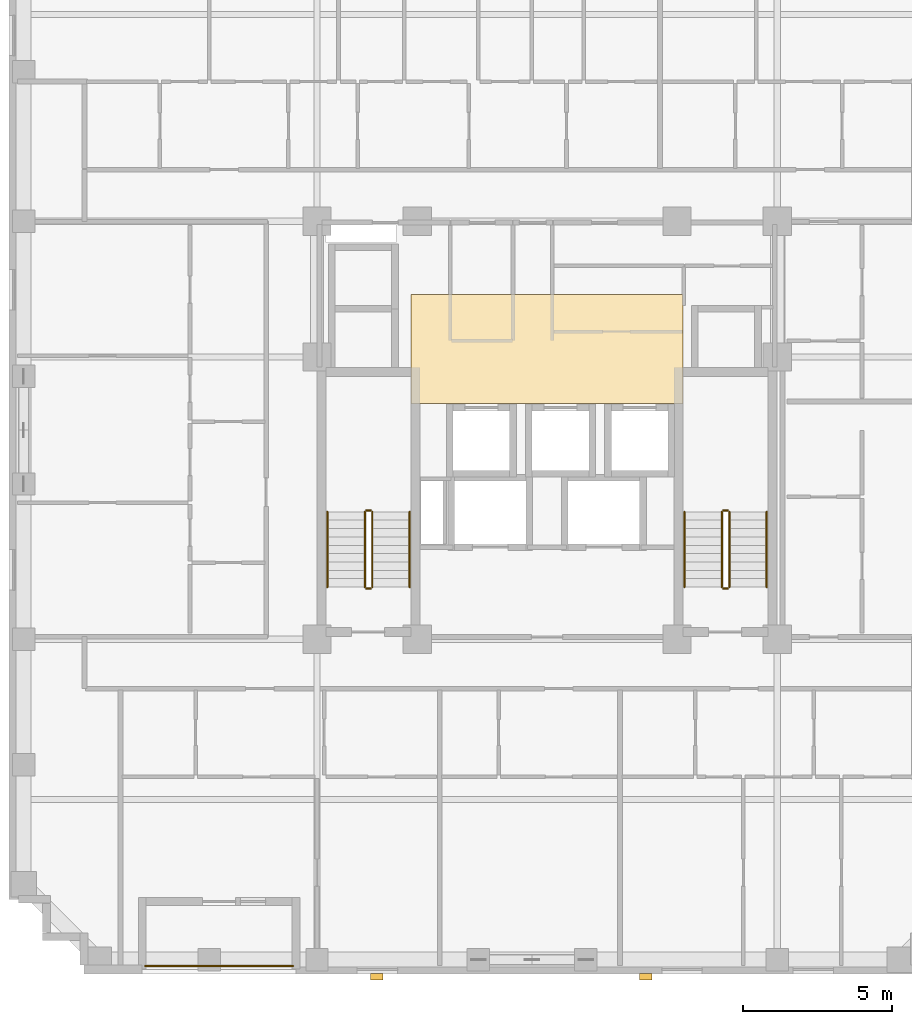
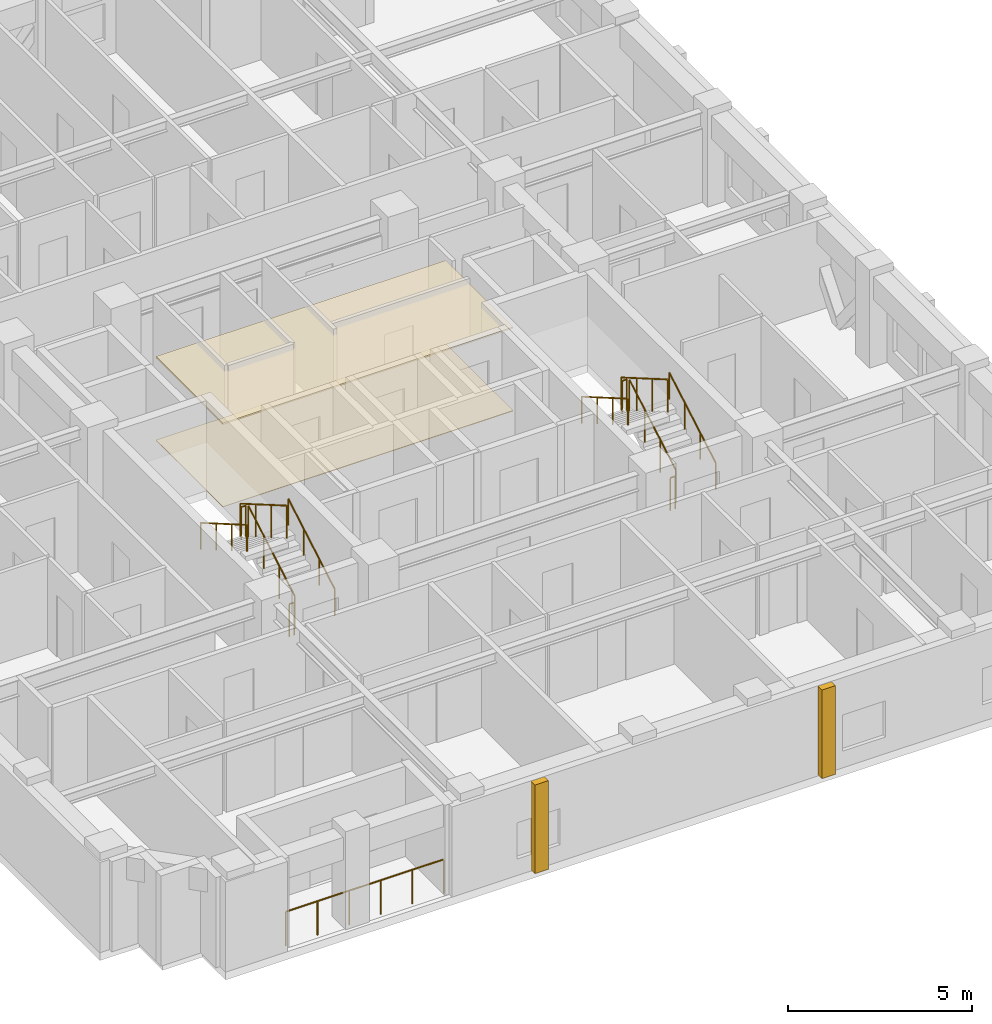
# One storey, part 10 of 11: 13 railings, 4 coverings.
"""IFC4 building model written with IfcOpenShell, lengths in metres."""

from ifc_helpers import new_model, si_unit, derived_unit, direction, frame, origin, origin_2d, place, context, subcontext, project, spatial, polyline, rectangle, circle, outline, extrude, material, layer, layer_set, type_object, element, save


model = new_model("IFC4")

# Units and contexts
model_context = context("Model", 3, precision=1e-05, world=origin(), true_north=direction((0.0, 1.0)))
body_context = subcontext(model_context, "Body", "Model", "MODEL_VIEW")
ifc_project = project(units=[si_unit("LENGTHUNIT", "METRE"), si_unit("AREAUNIT", "SQUARE_METRE"), si_unit("VOLUMEUNIT", "CUBIC_METRE"), si_unit("PLANEANGLEUNIT", "RADIAN"), si_unit("MASSUNIT", "GRAM", prefix="KILO"), derived_unit("THERMALTRANSMITTANCEUNIT", [(si_unit("MASSUNIT", "GRAM", prefix="KILO"), 1), (si_unit("TIMEUNIT", "SECOND"), -3), (si_unit("THERMODYNAMICTEMPERATUREUNIT", "KELVIN"), -1)])], contexts=[model_context])

# Site, building, storey
site_placement = place(None, origin())
site = spatial("IfcSite", under=ifc_project, at=site_placement, CompositionType="ELEMENT")
building_placement = place(site_placement, origin())
building = spatial("IfcBuilding", under=site, at=building_placement, Name="Korrvale Station Residences", CompositionType="ELEMENT")
storey_placement = place(building_placement, frame((0.0, 0.0, 137.39990234375)))
storey = spatial("IfcBuildingStorey", under=building, at=storey_placement, Name="L39", CompositionType="ELEMENT", Elevation=137.39990234375)

# Coverings
ifc_material_1 = material(Name="Perforated acoustic mineral-fibre suspended ceiling", Category="gypsum")
ifc_layer_1 = layer(ifc_material_1, 0.050048828125, Name="Perforated acoustic mineral-fibre suspended ceiling")
ifc_layer_set_1 = layer_set([ifc_layer_1], Name="Perforated acoustic mineral-fibre suspended ceiling")
covering_type_1 = type_object("IfcCoveringType", Name="COV-CLG-AC60", PredefinedType="CEILING", material=ifc_layer_set_1)
covering_1_placement = place(storey_placement, frame((0.0, 0.0, 2.739990234375)))
element("IfcCovering", 1, at=covering_1_placement, inside=storey, type_object=covering_type_1, Name="L39 Elevator Lobby Acoustic Ceiling", PredefinedType="CEILING", context=body_context, shape_type="SweptSolid", body=[
    extrude(outline(polyline([(20.949951171875, 22.89990234375), (30.050048828125, 22.89990234375), (30.050048828125, 26.550048828125), (20.949951171875, 26.550048828125), (20.949951171875, 22.89990234375)])), origin(), (0.0, 0.0, 1.0), 0.050048828125),
])
ifc_material_2 = material(Name="Polished quartz-terrazzo lobby flooring", Category="masonry")
ifc_layer_2 = layer(ifc_material_2, 0.02001953125, Name="Polished quartz-terrazzo lobby flooring")
ifc_layer_set_2 = layer_set([ifc_layer_2], Name="Polished quartz-terrazzo lobby flooring")
covering_type_2 = type_object("IfcCoveringType", Name="COV-FLR-TER20", PredefinedType="FLOORING", material=ifc_layer_set_2)
covering_2_placement = place(storey_placement, origin())
element("IfcCovering", 2, at=covering_2_placement, inside=storey, type_object=covering_type_2, Name="L39 Elevator Lobby Terrazzo Flooring", PredefinedType="FLOORING", context=body_context, shape_type="SweptSolid", body=[
    extrude(outline(polyline([(20.949951171875, 22.89990234375), (30.050048828125, 22.89990234375), (30.050048828125, 26.550048828125), (20.949951171875, 26.550048828125), (20.949951171875, 22.89990234375)])), origin(), (0.0, 0.0, 1.0), 0.02001953125),
])
ifc_material_3 = material(Name="Architectural precast concrete C45/55", Category="concrete")
ifc_layer_3 = layer(ifc_material_3, 0.219970703125, Name="Architectural precast concrete C45/55")
ifc_layer_set_3 = layer_set([ifc_layer_3], Name="Architectural precast concrete C45/55")
covering_type_3 = type_object("IfcCoveringType", Name="COV-PIER-400", PredefinedType="CLADDING", material=ifc_layer_set_3)
for number, where, z_axis, x_axis, name in (
    (3, (28.800048828125, 3.7099609375, 0.025146484375), (0.0, 0.0, 1.0), (1.0, 0.0, 0.0), "L39 Architectural Precast Facade Pier 01"),
    (4, (19.800048828125, 3.7099609375, 0.025146484375), (0.0, 0.0, 1.0), (1.0, 0.0, 0.0), "L39 Architectural Precast Facade Pier 02"),
):
    element("IfcCovering", number, at=place(storey_placement, frame(where, z_axis=z_axis, x_axis=x_axis)), inside=storey, type_object=covering_type_3, Name=name, PredefinedType="CLADDING", context=body_context, shape_type="SweptSolid", body=[
        extrude(rectangle(XDim=0.419921875, YDim=0.219970703125, at=origin_2d()), origin(), (0.0, 0.0, 1.0), 2.93994140625),
    ])

# Railings
ifc_material_4 = material(Name="Powder-coated aluminium picket loggia guard", Category="aluminium")
railing_type_1 = type_object("IfcRailingType", Name="RLG-BAL-1150", PredefinedType="GUARDRAIL", material=ifc_material_4)
railing_1_placement = place(storey_placement, frame((12.050048828125, 4.070068359375, 0.0)))
element("IfcRailing", 5, at=railing_1_placement, inside=storey, type_object=railing_type_1, Name="L39 Recessed Loggia Guardrail BAL-L39-S1", PredefinedType="GUARDRAIL", context=body_context, shape_type="SweptSolid", body=[
    extrude(circle(Radius=0.02392578125, at=origin_2d()), frame((0.0, 0.0, 1.1259765625), z_axis=(1.0, 0.0, 0.0), x_axis=(0.0, 1.0, 0.0)), (0.0, 0.0, 1.0), 4.949951171875),
    extrude(circle(Radius=0.02099609375, at=origin_2d()), origin(), (0.0, 0.0, 1.0), 1.101806640625),
    extrude(circle(Radius=0.02099609375, at=origin_2d()), frame((0.989990234375, 0.0, 0.0)), (0.0, 0.0, 1.0), 1.101806640625),
    extrude(circle(Radius=0.02099609375, at=origin_2d()), frame((1.97998046875, 0.0, 0.0)), (0.0, 0.0, 1.0), 1.101806640625),
    extrude(circle(Radius=0.02099609375, at=origin_2d()), frame((2.969970703125, 0.0, 0.0)), (0.0, 0.0, 1.0), 1.101806640625),
    extrude(circle(Radius=0.02099609375, at=origin_2d()), frame((3.9599609375, 0.0, 0.0)), (0.0, 0.0, 1.0), 1.101806640625),
    extrude(circle(Radius=0.02099609375, at=origin_2d()), frame((4.949951171875, 0.0, 0.0)), (0.0, 0.0, 1.0), 1.101806640625),
])
ifc_material_5 = material(Name="Brushed stainless-steel continuous stair handrail", Category="steel")
railing_type_2 = type_object("IfcRailingType", Name="RLG-SHND-900", PredefinedType="HANDRAIL", material=ifc_material_5)
railing_2_placement = place(storey_placement, frame((20.89990234375, 16.75, 0.16259765625)))
element("IfcRailing", 6, at=railing_2_placement, inside=storey, type_object=railing_type_2, Name="L39 ST-1 stair handrail 1", PredefinedType="HANDRAIL", context=body_context, shape_type="SweptSolid", body=[
    extrude(circle(Radius=0.02392578125, at=origin_2d()), frame((0.0, 0.0, 0.8759765625), z_axis=(0.0, 0.864913338283, 0.50192122615), x_axis=(-1.0, 0.0, 0.0)), (0.0, 0.0, 1.0), 2.91357421875),
    extrude(circle(Radius=0.02099609375, at=origin_2d()), origin(), (0.0, 0.0, 1.0), 0.851806640625),
    extrude(circle(Radius=0.02099609375, at=origin_2d()), frame((0.0, 0.840087890625, 0.487548828125)), (0.0, 0.0, 1.0), 0.851806640625),
    extrude(circle(Radius=0.02099609375, at=origin_2d()), frame((0.0, 1.679931640625, 0.974853515625)), (0.0, 0.0, 1.0), 0.851806640625),
    extrude(circle(Radius=0.02099609375, at=origin_2d()), frame((0.0, 2.52001953125, 1.46240234375)), (0.0, 0.0, 1.0), 0.851806640625),
])
railing_3_placement = place(storey_placement, frame((18.14990234375, 19.27001953125, 1.78759765625)))
element("IfcRailing", 7, at=railing_3_placement, inside=storey, type_object=railing_type_2, Name="L39 ST-1 stair handrail 2", PredefinedType="HANDRAIL", context=body_context, shape_type="SweptSolid", body=[
    extrude(circle(Radius=0.02392578125, at=origin_2d()), frame((0.0, 0.0, 0.8759765625), z_axis=(0.0, -0.864913338283, 0.50192122615), x_axis=(1.0, 0.0, 0.0)), (0.0, 0.0, 1.0), 2.91357421875),
    extrude(circle(Radius=0.02099609375, at=origin_2d()), origin(), (0.0, 0.0, 1.0), 0.851806640625),
    extrude(circle(Radius=0.02099609375, at=origin_2d()), frame((0.0, -0.840087890625, 0.487548828125)), (0.0, 0.0, 1.0), 0.851806640625),
    extrude(circle(Radius=0.02099609375, at=origin_2d()), frame((0.0, -1.679931640625, 0.974853515625)), (0.0, 0.0, 1.0), 0.851806640625),
    extrude(circle(Radius=0.02099609375, at=origin_2d()), frame((0.0, -2.52001953125, 1.46240234375)), (0.0, 0.0, 1.0), 0.851806640625),
])
railing_4_placement = place(storey_placement, frame((32.85009765625, 16.75, 0.16259765625)))
element("IfcRailing", 8, at=railing_4_placement, inside=storey, type_object=railing_type_2, Name="L39 ST-2 stair handrail 1", PredefinedType="HANDRAIL", context=body_context, shape_type="SweptSolid", body=[
    extrude(circle(Radius=0.02392578125, at=origin_2d()), frame((0.0, 0.0, 0.8759765625), z_axis=(0.0, 0.864913338283, 0.50192122615), x_axis=(-1.0, 0.0, 0.0)), (0.0, 0.0, 1.0), 2.91357421875),
    extrude(circle(Radius=0.02099609375, at=origin_2d()), origin(), (0.0, 0.0, 1.0), 0.851806640625),
    extrude(circle(Radius=0.02099609375, at=origin_2d()), frame((0.0, 0.840087890625, 0.487548828125)), (0.0, 0.0, 1.0), 0.851806640625),
    extrude(circle(Radius=0.02099609375, at=origin_2d()), frame((0.0, 1.679931640625, 0.974853515625)), (0.0, 0.0, 1.0), 0.851806640625),
    extrude(circle(Radius=0.02099609375, at=origin_2d()), frame((0.0, 2.52001953125, 1.46240234375)), (0.0, 0.0, 1.0), 0.851806640625),
])
railing_5_placement = place(storey_placement, frame((30.10009765625, 19.27001953125, 1.78759765625)))
element("IfcRailing", 9, at=railing_5_placement, inside=storey, type_object=railing_type_2, Name="L39 ST-2 stair handrail 2", PredefinedType="HANDRAIL", context=body_context, shape_type="SweptSolid", body=[
    extrude(circle(Radius=0.02392578125, at=origin_2d()), frame((0.0, 0.0, 0.8759765625), z_axis=(0.0, -0.864913338283, 0.50192122615), x_axis=(1.0, 0.0, 0.0)), (0.0, 0.0, 1.0), 2.91357421875),
    extrude(circle(Radius=0.02099609375, at=origin_2d()), origin(), (0.0, 0.0, 1.0), 0.851806640625),
    extrude(circle(Radius=0.02099609375, at=origin_2d()), frame((0.0, -0.840087890625, 0.487548828125)), (0.0, 0.0, 1.0), 0.851806640625),
    extrude(circle(Radius=0.02099609375, at=origin_2d()), frame((0.0, -1.679931640625, 0.974853515625)), (0.0, 0.0, 1.0), 0.851806640625),
    extrude(circle(Radius=0.02099609375, at=origin_2d()), frame((0.0, -2.52001953125, 1.46240234375)), (0.0, 0.0, 1.0), 0.851806640625),
])
ifc_material_6 = material(Name="Galvanised painted tubular steel stair guard", Category="steel")
railing_type_3 = type_object("IfcRailingType", Name="RLG-STR-1100", PredefinedType="GUARDRAIL", material=ifc_material_6)
railing_6_placement = place(storey_placement, frame((19.64990234375, 16.75, 0.16259765625)))
element("IfcRailing", 10, at=railing_6_placement, inside=storey, type_object=railing_type_3, Name="L39 ST-1 stair guard 1", PredefinedType="GUARDRAIL", context=body_context, shape_type="SweptSolid", body=[
    extrude(circle(Radius=0.02392578125, at=origin_2d()), frame((0.0, 0.0, 1.076171875), z_axis=(0.0, 0.864913338283, 0.50192122615), x_axis=(-1.0, 0.0, 0.0)), (0.0, 0.0, 1.0), 2.91357421875),
    extrude(circle(Radius=0.02099609375, at=origin_2d()), origin(), (0.0, 0.0, 1.0), 1.052001953125),
    extrude(circle(Radius=0.02099609375, at=origin_2d()), frame((0.0, 0.840087890625, 0.487548828125)), (0.0, 0.0, 1.0), 1.052001953125),
    extrude(circle(Radius=0.02099609375, at=origin_2d()), frame((0.0, 1.679931640625, 0.974853515625)), (0.0, 0.0, 1.0), 1.052001953125),
    extrude(circle(Radius=0.02099609375, at=origin_2d()), frame((0.0, 2.52001953125, 1.46240234375)), (0.0, 0.0, 1.0), 1.052001953125),
])
railing_7_placement = place(storey_placement, frame((19.60009765625, 19.320068359375, 1.625)))
element("IfcRailing", 11, at=railing_7_placement, inside=storey, type_object=railing_type_3, Name="L39 ST-1 stair guard 2", PredefinedType="GUARDRAIL", context=body_context, shape_type="SweptSolid", body=[
    extrude(circle(Radius=0.02392578125, at=origin_2d()), frame((0.0, 0.0, 1.076171875), z_axis=(-1.0, 0.0, 0.0), x_axis=(0.0, -1.0, 0.0)), (0.0, 0.0, 1.0), 0.150146484375),
    extrude(circle(Radius=0.02099609375, at=origin_2d()), origin(), (0.0, 0.0, 1.0), 1.052001953125),
    extrude(circle(Radius=0.02099609375, at=origin_2d()), frame((-0.150146484375, 0.0, 0.0)), (0.0, 0.0, 1.0), 1.052001953125),
])
railing_8_placement = place(storey_placement, frame((19.39990234375, 19.27001953125, 1.78759765625)))
element("IfcRailing", 12, at=railing_8_placement, inside=storey, type_object=railing_type_3, Name="L39 ST-1 stair guard 3", PredefinedType="GUARDRAIL", context=body_context, shape_type="SweptSolid", body=[
    extrude(circle(Radius=0.02392578125, at=origin_2d()), frame((0.0, 0.0, 1.076171875), z_axis=(0.0, -0.864913338283, 0.50192122615), x_axis=(1.0, 0.0, 0.0)), (0.0, 0.0, 1.0), 2.91357421875),
    extrude(circle(Radius=0.02099609375, at=origin_2d()), origin(), (0.0, 0.0, 1.0), 1.052001953125),
    extrude(circle(Radius=0.02099609375, at=origin_2d()), frame((0.0, -0.840087890625, 0.487548828125)), (0.0, 0.0, 1.0), 1.052001953125),
    extrude(circle(Radius=0.02099609375, at=origin_2d()), frame((0.0, -1.679931640625, 0.974853515625)), (0.0, 0.0, 1.0), 1.052001953125),
    extrude(circle(Radius=0.02099609375, at=origin_2d()), frame((0.0, -2.52001953125, 1.46240234375)), (0.0, 0.0, 1.0), 1.052001953125),
])
railing_9_placement = place(storey_placement, frame((19.60009765625, 16.699951171875, 0.0)))
element("IfcRailing", 13, at=railing_9_placement, inside=storey, type_object=railing_type_3, Name="L39 ST-1 stair guard 4", PredefinedType="GUARDRAIL", context=body_context, shape_type="SweptSolid", body=[
    extrude(circle(Radius=0.02392578125, at=origin_2d()), frame((0.0, 0.0, 1.076171875), z_axis=(-1.0, 0.0, 0.0), x_axis=(0.0, -1.0, 0.0)), (0.0, 0.0, 1.0), 0.150146484375),
    extrude(circle(Radius=0.02099609375, at=origin_2d()), origin(), (0.0, 0.0, 1.0), 1.052001953125),
    extrude(circle(Radius=0.02099609375, at=origin_2d()), frame((-0.150146484375, 0.0, 0.0)), (0.0, 0.0, 1.0), 1.052001953125),
])
railing_10_placement = place(storey_placement, frame((31.60009765625, 16.75, 0.16259765625)))
element("IfcRailing", 14, at=railing_10_placement, inside=storey, type_object=railing_type_3, Name="L39 ST-2 stair guard 1", PredefinedType="GUARDRAIL", context=body_context, shape_type="SweptSolid", body=[
    extrude(circle(Radius=0.02392578125, at=origin_2d()), frame((0.0, 0.0, 1.076171875), z_axis=(0.0, 0.864913338283, 0.50192122615), x_axis=(-1.0, 0.0, 0.0)), (0.0, 0.0, 1.0), 2.91357421875),
    extrude(circle(Radius=0.02099609375, at=origin_2d()), origin(), (0.0, 0.0, 1.0), 1.052001953125),
    extrude(circle(Radius=0.02099609375, at=origin_2d()), frame((0.0, 0.840087890625, 0.487548828125)), (0.0, 0.0, 1.0), 1.052001953125),
    extrude(circle(Radius=0.02099609375, at=origin_2d()), frame((0.0, 1.679931640625, 0.974853515625)), (0.0, 0.0, 1.0), 1.052001953125),
    extrude(circle(Radius=0.02099609375, at=origin_2d()), frame((0.0, 2.52001953125, 1.46240234375)), (0.0, 0.0, 1.0), 1.052001953125),
])
railing_11_placement = place(storey_placement, frame((31.550048828125, 19.320068359375, 1.625)))
element("IfcRailing", 15, at=railing_11_placement, inside=storey, type_object=railing_type_3, Name="L39 ST-2 stair guard 2", PredefinedType="GUARDRAIL", context=body_context, shape_type="SweptSolid", body=[
    extrude(circle(Radius=0.02392578125, at=origin_2d()), frame((0.0, 0.0, 1.076171875), z_axis=(-1.0, 0.0, 0.0), x_axis=(0.0, -1.0, 0.0)), (0.0, 0.0, 1.0), 0.150146484375),
    extrude(circle(Radius=0.02099609375, at=origin_2d()), origin(), (0.0, 0.0, 1.0), 1.052001953125),
    extrude(circle(Radius=0.02099609375, at=origin_2d()), frame((-0.150146484375, 0.0, 0.0)), (0.0, 0.0, 1.0), 1.052001953125),
])
railing_12_placement = place(storey_placement, frame((31.35009765625, 19.27001953125, 1.78759765625)))
element("IfcRailing", 16, at=railing_12_placement, inside=storey, type_object=railing_type_3, Name="L39 ST-2 stair guard 3", PredefinedType="GUARDRAIL", context=body_context, shape_type="SweptSolid", body=[
    extrude(circle(Radius=0.02392578125, at=origin_2d()), frame((0.0, 0.0, 1.076171875), z_axis=(0.0, -0.864913338283, 0.50192122615), x_axis=(1.0, 0.0, 0.0)), (0.0, 0.0, 1.0), 2.91357421875),
    extrude(circle(Radius=0.02099609375, at=origin_2d()), origin(), (0.0, 0.0, 1.0), 1.052001953125),
    extrude(circle(Radius=0.02099609375, at=origin_2d()), frame((0.0, -0.840087890625, 0.487548828125)), (0.0, 0.0, 1.0), 1.052001953125),
    extrude(circle(Radius=0.02099609375, at=origin_2d()), frame((0.0, -1.679931640625, 0.974853515625)), (0.0, 0.0, 1.0), 1.052001953125),
    extrude(circle(Radius=0.02099609375, at=origin_2d()), frame((0.0, -2.52001953125, 1.46240234375)), (0.0, 0.0, 1.0), 1.052001953125),
])
railing_13_placement = place(storey_placement, frame((31.550048828125, 16.699951171875, 0.0)))
element("IfcRailing", 17, at=railing_13_placement, inside=storey, type_object=railing_type_3, Name="L39 ST-2 stair guard 4", PredefinedType="GUARDRAIL", context=body_context, shape_type="SweptSolid", body=[
    extrude(circle(Radius=0.02392578125, at=origin_2d()), frame((0.0, 0.0, 1.076171875), z_axis=(-1.0, 0.0, 0.0), x_axis=(0.0, -1.0, 0.0)), (0.0, 0.0, 1.0), 0.150146484375),
    extrude(circle(Radius=0.02099609375, at=origin_2d()), origin(), (0.0, 0.0, 1.0), 1.052001953125),
    extrude(circle(Radius=0.02099609375, at=origin_2d()), frame((-0.150146484375, 0.0, 0.0)), (0.0, 0.0, 1.0), 1.052001953125),
])

save(model, "model.ifc")
